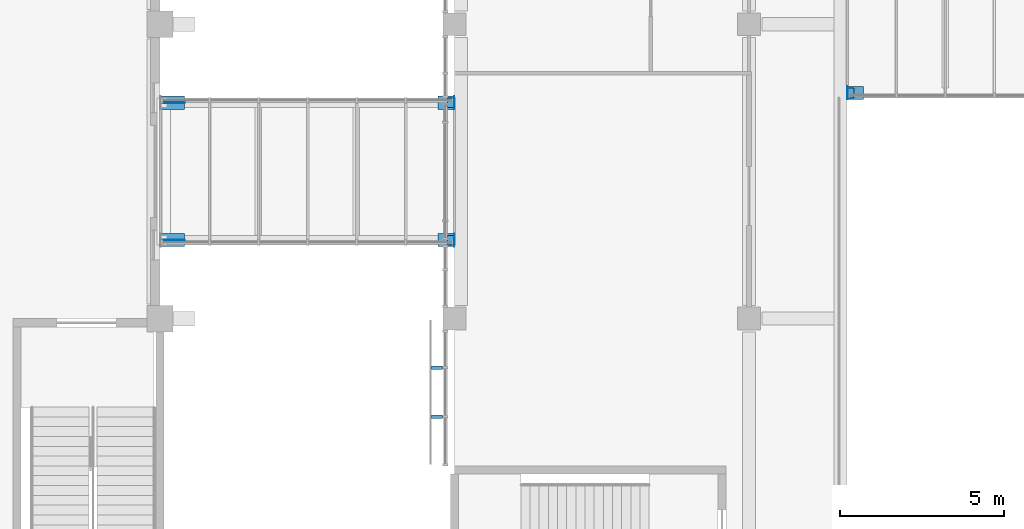
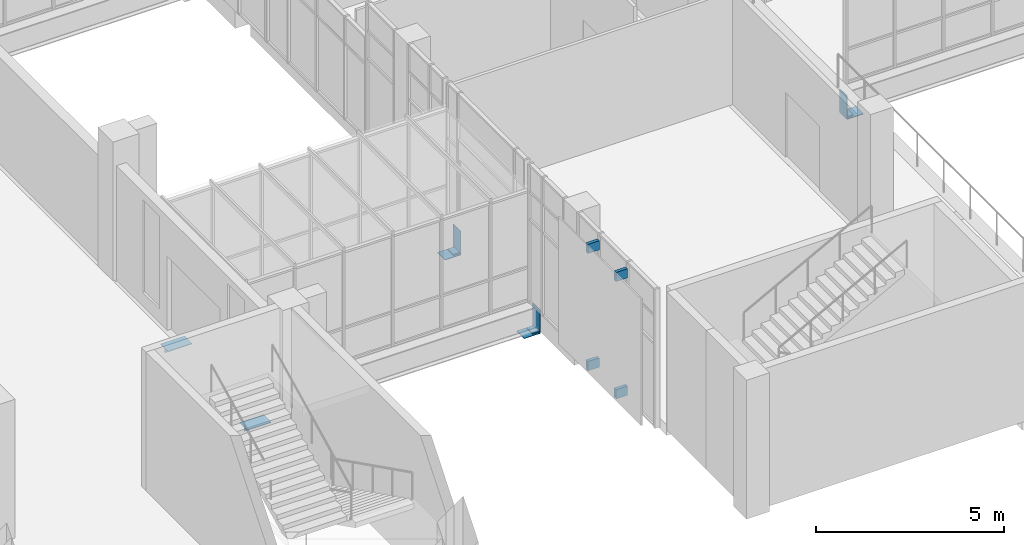
# One storey, part 84 of 106: 17 discrete accessories.
"""IFC4 building model written with IfcOpenShell, lengths in metres."""

from ifc_helpers import new_model, si_unit, direction, frame, origin, origin_2d, place, context, subcontext, project, spatial, rectangle, extrude, material, layer, layer_set, type_object, element, save


model = new_model("IFC4")

# Units and contexts
model_context = context("Model", 3, precision=1e-05, world=origin(), true_north=direction((0.0, 1.0)))
body_context = subcontext(model_context, "Body", "Model", "MODEL_VIEW")
ifc_project = project(units=[si_unit("LENGTHUNIT", "METRE"), si_unit("AREAUNIT", "SQUARE_METRE"), si_unit("VOLUMEUNIT", "CUBIC_METRE"), si_unit("PLANEANGLEUNIT", "RADIAN"), si_unit("MASSUNIT", "GRAM", prefix="KILO")], contexts=[model_context])

# Site, building, storey
site_placement = place(None, origin())
site = spatial("IfcSite", under=ifc_project, at=site_placement, CompositionType="ELEMENT")
building_placement = place(site_placement, origin())
building = spatial("IfcBuilding", under=site, at=building_placement, Name="Guidao Yard Department Store", CompositionType="ELEMENT")
storey_placement = place(building_placement, frame((0.0, 0.0, 10.5)))
storey = spatial("IfcBuildingStorey", under=building, at=storey_placement, Name="L02", CompositionType="ELEMENT", Elevation=10.5)

# Discrete accessories
ifc_material_1 = material(Name="Steel Q355B", Category="steel")
discrete_accessory_type_1 = type_object("IfcDiscreteAccessoryType", Name="Bracket BR2 steel plate", PredefinedType="BRACKET", material=ifc_material_1)
for number, where, z_axis, x_axis, name in (
    (1, (71.465087890625, 51.0, 0.2001953125), (0.0, 0.0, 1.0), (0.0, 1.0, 0.0), "Screen bracket"),
    (2, (71.465087890625, 51.0, 4.0), (0.0, 0.0, 1.0), (0.0, 1.0, 0.0), "Screen bracket"),
    (3, (71.465087890625, 52.5, 0.2001953125), (0.0, 0.0, 1.0), (0.0, 1.0, 0.0), "Screen bracket"),
    (4, (71.465087890625, 52.5, 4.0), (0.0, 0.0, 1.0), (0.0, 1.0, 0.0), "Screen bracket"),
):
    element("IfcDiscreteAccessory", number, at=place(storey_placement, frame(where, z_axis=z_axis, x_axis=x_axis)), inside=storey, type_object=discrete_accessory_type_1, Name=name, PredefinedType="BRACKET", context=body_context, shape_type="SweptSolid", body=[
        extrude(rectangle(XDim=0.10009765625, YDim=0.35009765625, at=origin_2d()), origin(), (0.0, 0.0, 1.0), 0.300048828125),
    ])
ifc_material_2 = material(Name="Steel Q355B", Category="steel")
ifc_layer_1 = layer(ifc_material_2, 0.014892578125)
ifc_layer_set_1 = layer_set([ifc_layer_1], Name="Bridge girder back plate SB1 steel")
discrete_accessory_type_2 = type_object("IfcDiscreteAccessoryType", Name="Bridge girder back plate SB1 steel", PredefinedType="BRACKET", material=ifc_layer_set_1)
for number, where, z_axis, x_axis, name in (
    (5, (71.992431640625, 56.39990234375, -1.10986328125), (0.0, 0.0, 1.0), (1.0, 0.0, 0.0), "Bridge girder back plate BR03S F"),
    (6, (71.992431640625, 60.60009765625, -1.10986328125), (0.0, 0.0, 1.0), (1.0, 0.0, 0.0), "Bridge girder back plate BR03N F"),
    (7, (84.007568359375, 60.89990234375, -1.10986328125), (0.0, 0.0, 1.0), (1.0, 0.0, 0.0), "Bridge girder back plate BR11S F"),
):
    element("IfcDiscreteAccessory", number, at=place(storey_placement, frame(where, z_axis=z_axis, x_axis=x_axis)), inside=storey, type_object=discrete_accessory_type_2, Name=name, PredefinedType="BRACKET", context=body_context, shape_type="SweptSolid", body=[
        extrude(rectangle(XDim=0.014892578125, YDim=0.39990234375, at=origin_2d()), origin(), (0.0, 0.0, 1.0), 0.760009765625),
    ])
ifc_material_3 = material(Name="Steel Q355B", Category="steel")
ifc_layer_2 = layer(ifc_material_3, 0.0400390625)
ifc_layer_set_2 = layer_set([ifc_layer_2], Name="Bridge girder pinned bearing BP1 steel")
discrete_accessory_type_3 = type_object("IfcDiscreteAccessoryType", Name="Bridge girder pinned bearing BP1 steel", PredefinedType="SHOE", material=ifc_layer_set_2)
for number, where, z_axis, x_axis, name in (
    (8, (71.885009765625, 56.39990234375, -1.090087890625), (0.0, 0.0, 1.0), (1.0, 0.0, 0.0), "Bridge girder pinned bearing BR03S"),
    (9, (71.885009765625, 60.60009765625, -1.090087890625), (0.0, 0.0, 1.0), (1.0, 0.0, 0.0), "Bridge girder pinned bearing BR03N"),
    (10, (84.114990234375, 60.89990234375, -1.090087890625), (0.0, 0.0, 1.0), (1.0, 0.0, 0.0), "Bridge girder pinned bearing BR11S"),
):
    element("IfcDiscreteAccessory", number, at=place(storey_placement, frame(where, z_axis=z_axis, x_axis=x_axis)), inside=storey, type_object=discrete_accessory_type_3, Name=name, PredefinedType="SHOE", context=body_context, shape_type="SweptSolid", body=[
        extrude(rectangle(XDim=0.199951171875, YDim=0.300048828125, at=origin_2d()), origin(), (0.0, 0.0, 1.0), 0.0400390625),
    ])
ifc_material_4 = material(Name="Steel Q355B", Category="steel")
ifc_layer_3 = layer(ifc_material_4, 0.02001953125)
ifc_layer_set_3 = layer_set([ifc_layer_3], Name="Bridge girder seat plate SP1 steel 500")
discrete_accessory_type_4 = type_object("IfcDiscreteAccessoryType", Name="Bridge girder seat plate SP1 steel 500", PredefinedType="BRACKET", material=ifc_layer_set_3)
for number, where, z_axis, x_axis, name in (
    (11, (71.742431640625, 56.39990234375, -1.110107421875), (0.0, 0.0, 1.0), (1.0, 0.0, 0.0), "Bridge girder seat plate BR03S F"),
    (12, (71.742431640625, 60.60009765625, -1.110107421875), (0.0, 0.0, 1.0), (1.0, 0.0, 0.0), "Bridge girder seat plate BR03N F"),
    (13, (84.257568359375, 60.89990234375, -1.110107421875), (0.0, 0.0, 1.0), (1.0, 0.0, 0.0), "Bridge girder seat plate BR11S F"),
):
    element("IfcDiscreteAccessory", number, at=place(storey_placement, frame(where, z_axis=z_axis, x_axis=x_axis)), inside=storey, type_object=discrete_accessory_type_4, Name=name, PredefinedType="BRACKET", context=body_context, shape_type="SweptSolid", body=[
        extrude(rectangle(XDim=0.485107421875, YDim=0.39990234375, at=origin_2d()), origin(), (0.0, 0.0, 1.0), 0.02001953125),
    ])
ifc_material_5 = material(Name="Steel Q355B", Category="steel")
ifc_layer_4 = layer(ifc_material_5, 0.02001953125)
ifc_layer_set_4 = layer_set([ifc_layer_4], Name="Bridge girder seat plate SP1 steel 750")
discrete_accessory_type_5 = type_object("IfcDiscreteAccessoryType", Name="Bridge girder seat plate SP1 steel 750", PredefinedType="BRACKET", material=ifc_layer_set_4)
for number, where, z_axis, x_axis, name in (
    (14, (63.382568359375, 56.39990234375, -1.110107421875), (0.0, 0.0, 1.0), (1.0, 0.0, 0.0), "Bridge girder seat plate BR03S S"),
    (15, (63.382568359375, 60.60009765625, -1.110107421875), (0.0, 0.0, 1.0), (1.0, 0.0, 0.0), "Bridge girder seat plate BR03N S"),
):
    element("IfcDiscreteAccessory", number, at=place(storey_placement, frame(where, z_axis=z_axis, x_axis=x_axis)), inside=storey, type_object=discrete_accessory_type_5, Name=name, PredefinedType="BRACKET", context=body_context, shape_type="SweptSolid", body=[
        extrude(rectangle(XDim=0.735107421875, YDim=0.39990234375, at=origin_2d()), origin(), (0.0, 0.0, 1.0), 0.02001953125),
    ])
ifc_material_6 = material(Name="Steel Q355B", Category="steel")
ifc_layer_5 = layer(ifc_material_6, 0.01611328125)
ifc_layer_set_5 = layer_set([ifc_layer_5], Name="Bridge girder seat rib SR1 steel 16")
discrete_accessory_type_6 = type_object("IfcDiscreteAccessoryType", Name="Bridge girder seat rib SR1 steel 16", PredefinedType="BRACKET", material=ifc_layer_set_5)
for number, where, z_axis, x_axis, name in (
    (16, (63.389892578125, 56.39990234375, -1.260009765625), (0.0, 0.0, 1.0), (1.0, 0.0, 0.0), "Bridge girder seat rib BR03S S"),
    (17, (63.389892578125, 60.60009765625, -1.260009765625), (0.0, 0.0, 1.0), (1.0, 0.0, 0.0), "Bridge girder seat rib BR03N S"),
):
    element("IfcDiscreteAccessory", number, at=place(storey_placement, frame(where, z_axis=z_axis, x_axis=x_axis)), inside=storey, type_object=discrete_accessory_type_6, Name=name, PredefinedType="BRACKET", context=body_context, shape_type="SweptSolid", body=[
        extrude(rectangle(XDim=0.719970703125, YDim=0.01611328125, at=origin_2d()), origin(), (0.0, 0.0, 1.0), 0.14990234375),
    ])

save(model, "model.ifc")
